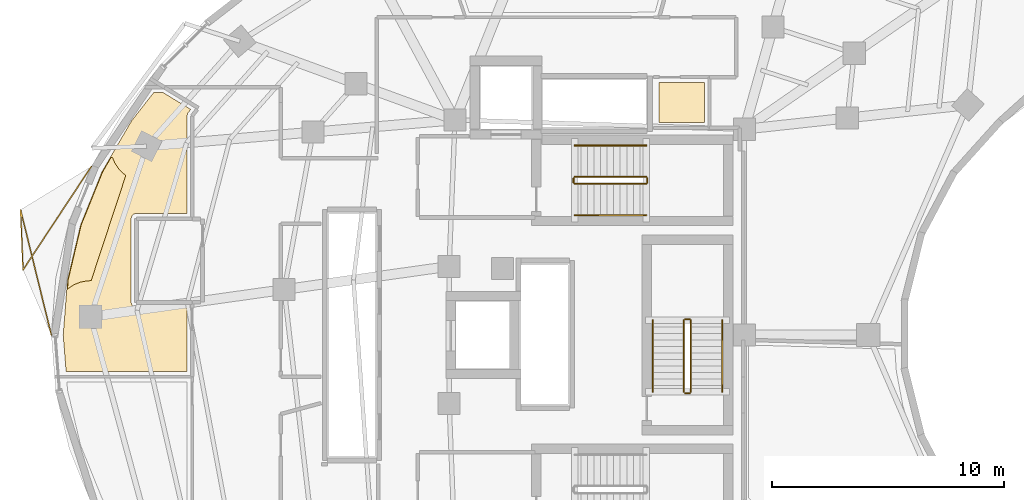
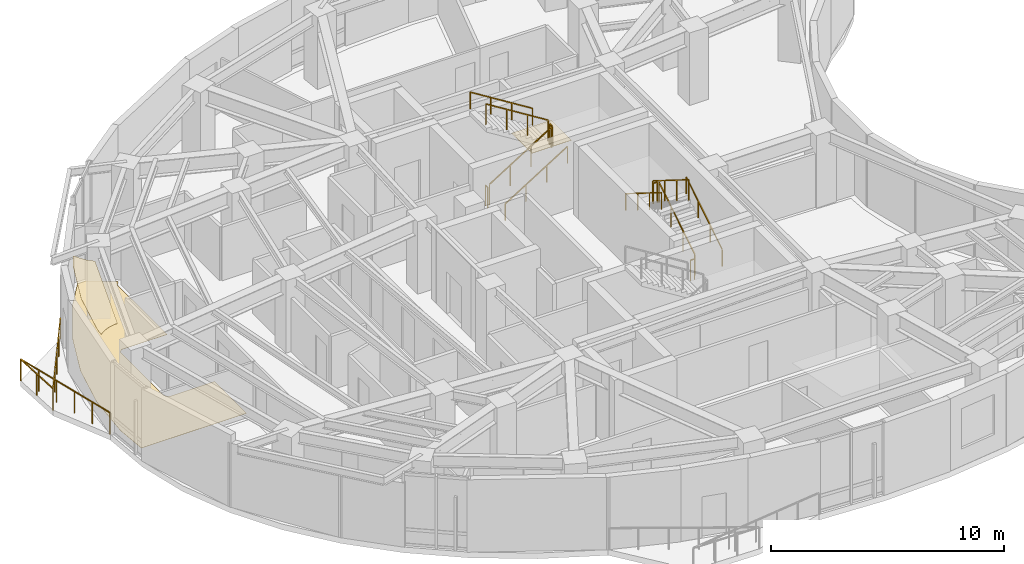
# One storey, part 12 of 13: 13 railings, 3 coverings.
"""IFC4 building model written with IfcOpenShell, lengths in metres."""

from ifc_helpers import new_model, si_unit, direction, frame, origin, origin_2d, place, context, subcontext, project, spatial, polyline, rectangle, outline, extrude, material, layer, layer_set, type_object, element, save


model = new_model("IFC4")

# Units and contexts
model_context = context("Model", 3, precision=1e-05, world=origin(), true_north=direction((0.0, 1.0)))
body_context = subcontext(model_context, "Body", "Model", "MODEL_VIEW")
ifc_project = project(units=[si_unit("LENGTHUNIT", "METRE"), si_unit("AREAUNIT", "SQUARE_METRE"), si_unit("VOLUMEUNIT", "CUBIC_METRE"), si_unit("PLANEANGLEUNIT", "RADIAN"), si_unit("MASSUNIT", "GRAM", prefix="KILO")], contexts=[model_context])

# Site, building, storey
site_placement = place(None, origin())
site = spatial("IfcSite", under=ifc_project, at=site_placement, CompositionType="ELEMENT")
building_placement = place(site_placement, origin())
building = spatial("IfcBuilding", under=site, at=building_placement, Name="Korentha Bioscience Tower", CompositionType="ELEMENT")
storey_placement = place(building_placement, frame((0.0, 0.0, 162.60009765625)))
storey = spatial("IfcBuildingStorey", under=building, at=storey_placement, Name="L37", CompositionType="ELEMENT", Elevation=162.60009765625)

# Covering
ifc_material_1 = material(Name="Vitrified Porcelain Tile", Category="ceramic")
ifc_layer_1 = layer(ifc_material_1, 0.014892578125, Name="Vitrified Porcelain Tile")
ifc_layer_set_1 = layer_set([ifc_layer_1], Name="Vitrified Porcelain Tile (FL-CER)")
covering_type_1 = type_object("IfcCoveringType", Name="Anti-Slip Ceramic Wet-Room Tile Flooring 15", PredefinedType="FLOORING", material=ifc_layer_set_1)
covering_1_placement = place(storey_placement, origin())
element("IfcCovering", 1, at=covering_1_placement, inside=storey, type_object=covering_type_1, Name="L37 Accessible Staff WC Floor Finish", PredefinedType="FLOORING", context=body_context, shape_type="SweptSolid", body=[
    extrude(outline(polyline([(33.8701171875, 36.1298828125), (33.8701171875, 37.8701171875), (35.830078125, 37.8701171875), (35.830078125, 36.1298828125), (33.8701171875, 36.1298828125)])), origin(), (0.0, 0.0, 1.0), 0.014892578125),
])

# Railings
ifc_material_2 = material(Name="Stainless Steel 304", Category="steel")
railing_type_1 = type_object("IfcRailingType", Name="Brushed Stainless Stair Handrail 900", PredefinedType="HANDRAIL", material=ifc_material_2)
railing_1_placement = place(storey_placement, frame((30.25, 32.14990234375, 0.1748046875)))
element("IfcRailing", 2, at=railing_1_placement, inside=storey, type_object=railing_type_1, Name="L37 ST-1 stair handrail 1", PredefinedType="HANDRAIL", context=body_context, shape_type="SweptSolid", body=[
    extrude(rectangle(XDim=0.048095703125, YDim=0.048095703125, at=origin_2d()), frame((0.0, 0.0, 0.8759765625), z_axis=(0.847998304005, 0.0, 0.529998940003), x_axis=(0.0, 1.0, 0.0)), (0.0, 0.0, 1.0), 3.632080078125),
    extrude(rectangle(XDim=0.0419921875, YDim=0.0419921875, at=origin_2d()), origin(), (0.0, 0.0, 1.0), 0.851806640625),
    extrude(rectangle(XDim=0.0419921875, YDim=0.0419921875, at=origin_2d()), frame((1.026611328125, 0.0, 0.6416015625)), (0.0, 0.0, 1.0), 0.851806640625),
    extrude(rectangle(XDim=0.0419921875, YDim=0.0419921875, at=origin_2d()), frame((2.053466796875, 0.0, 1.283447265625)), (0.0, 0.0, 1.0), 0.851806640625),
    extrude(rectangle(XDim=0.0419921875, YDim=0.0419921875, at=origin_2d()), frame((3.080078125, 0.0, 1.925048828125)), (0.0, 0.0, 1.0), 0.851806640625),
])
railing_2_placement = place(storey_placement, frame((33.330078125, 35.14990234375, 2.27490234375)))
element("IfcRailing", 3, at=railing_2_placement, inside=storey, type_object=railing_type_1, Name="L37 ST-1 stair handrail 2", PredefinedType="HANDRAIL", context=body_context, shape_type="SweptSolid", body=[
    extrude(rectangle(XDim=0.048095703125, YDim=0.048095703125, at=origin_2d()), frame((0.0, 0.0, 0.8759765625), z_axis=(-0.847998304005, 0.0, 0.529998940003), x_axis=(0.0, -1.0, 0.0)), (0.0, 0.0, 1.0), 3.632080078125),
    extrude(rectangle(XDim=0.0419921875, YDim=0.0419921875, at=origin_2d()), origin(), (0.0, 0.0, 1.0), 0.851806640625),
    extrude(rectangle(XDim=0.0419921875, YDim=0.0419921875, at=origin_2d()), frame((-1.026611328125, 0.0, 0.6416015625)), (0.0, 0.0, 1.0), 0.851806640625),
    extrude(rectangle(XDim=0.0419921875, YDim=0.0419921875, at=origin_2d()), frame((-2.053466796875, 0.0, 1.283447265625)), (0.0, 0.0, 1.0), 0.851806640625),
    extrude(rectangle(XDim=0.0419921875, YDim=0.0419921875, at=origin_2d()), frame((-3.080078125, 0.0, 1.925048828125)), (0.0, 0.0, 1.0), 0.851806640625),
])
railing_3_placement = place(storey_placement, frame((36.60009765625, 24.550048828125, 0.1748046875)))
element("IfcRailing", 4, at=railing_3_placement, inside=storey, type_object=railing_type_1, Name="L37 ST-3 stair handrail 1", PredefinedType="HANDRAIL", context=body_context, shape_type="SweptSolid", body=[
    extrude(rectangle(XDim=0.048095703125, YDim=0.048095703125, at=origin_2d()), frame((0.0, 0.0, 0.8759765625), z_axis=(0.0, 0.847979421464, 0.530029150871), x_axis=(-1.0, 0.0, 0.0)), (0.0, 0.0, 1.0), 3.632080078125),
    extrude(rectangle(XDim=0.0419921875, YDim=0.0419921875, at=origin_2d()), origin(), (0.0, 0.0, 1.0), 0.851806640625),
    extrude(rectangle(XDim=0.0419921875, YDim=0.0419921875, at=origin_2d()), frame((0.0, 1.026611328125, 0.6416015625)), (0.0, 0.0, 1.0), 0.851806640625),
    extrude(rectangle(XDim=0.0419921875, YDim=0.0419921875, at=origin_2d()), frame((0.0, 2.05322265625, 1.283447265625)), (0.0, 0.0, 1.0), 0.851806640625),
    extrude(rectangle(XDim=0.0419921875, YDim=0.0419921875, at=origin_2d()), frame((0.0, 3.079833984375, 1.925048828125)), (0.0, 0.0, 1.0), 0.851806640625),
])
railing_4_placement = place(storey_placement, frame((33.60009765625, 27.6298828125, 2.27490234375)))
element("IfcRailing", 5, at=railing_4_placement, inside=storey, type_object=railing_type_1, Name="L37 ST-3 stair handrail 2", PredefinedType="HANDRAIL", context=body_context, shape_type="SweptSolid", body=[
    extrude(rectangle(XDim=0.048095703125, YDim=0.048095703125, at=origin_2d()), frame((0.0, 0.0, 0.8759765625), z_axis=(0.0, -0.847979421464, 0.530029150871), x_axis=(1.0, 0.0, 0.0)), (0.0, 0.0, 1.0), 3.632080078125),
    extrude(rectangle(XDim=0.0419921875, YDim=0.0419921875, at=origin_2d()), origin(), (0.0, 0.0, 1.0), 0.851806640625),
    extrude(rectangle(XDim=0.0419921875, YDim=0.0419921875, at=origin_2d()), frame((0.0, -1.026611328125, 0.6416015625)), (0.0, 0.0, 1.0), 0.851806640625),
    extrude(rectangle(XDim=0.0419921875, YDim=0.0419921875, at=origin_2d()), frame((0.0, -2.05322265625, 1.283447265625)), (0.0, 0.0, 1.0), 0.851806640625),
    extrude(rectangle(XDim=0.0419921875, YDim=0.0419921875, at=origin_2d()), frame((0.0, -3.079833984375, 1.925048828125)), (0.0, 0.0, 1.0), 0.851806640625),
])
ifc_material_3 = material(Name="Laminated Tempered Safety Glass", Category="glass")
railing_type_2 = type_object("IfcRailingType", Name="Laminated Glass Balcony Guardrail 1150", PredefinedType="BALUSTRADE", material=ifc_material_3)
railing_5_placement = place(storey_placement, frame((9.454833984375, 34.246337890625, 0.0)))
element("IfcRailing", 6, at=railing_5_placement, inside=storey, type_object=railing_type_2, Name="L37 Balcony Guardrail 02", PredefinedType="BALUSTRADE", context=body_context, shape_type="SweptSolid", body=[
    extrude(rectangle(XDim=0.048095703125, YDim=0.048095703125, at=origin_2d()), frame((0.0, 0.0, 1.1259765625), z_axis=(-0.550932164864, -0.834550028289, 0.0), x_axis=(0.834550028289, -0.550932164864, 0.0)), (0.0, 0.0, 1.0), 5.3310546875),
    extrude(rectangle(XDim=0.048095703125, YDim=0.048095703125, at=origin_2d()), frame((-2.93701171875, -4.448974609375, 1.1259765625), z_axis=(-0.040615331827, 0.99917485698, 0.0), x_axis=(-0.99917485698, -0.040615331827, 0.0)), (0.0, 0.0, 1.0), 2.5908203125),
    extrude(rectangle(XDim=0.048095703125, YDim=0.048095703125, at=origin_2d()), frame((-3.042236328125, -1.8603515625, 1.1259765625), z_axis=(0.23862888536, -0.971110835627, 0.0), x_axis=(0.971110835627, 0.23862888536, 0.0)), (0.0, 0.0, 1.0), 5.546142578125),
    extrude(rectangle(XDim=0.0419921875, YDim=0.0419921875, at=origin_2d()), origin(), (0.0, 0.0, 1.0), 1.101806640625),
    extrude(rectangle(XDim=0.0419921875, YDim=0.0419921875, at=origin_2d()), frame((-0.734375, -1.1123046875, 0.0)), (0.0, 0.0, 1.0), 1.101806640625),
    extrude(rectangle(XDim=0.0419921875, YDim=0.0419921875, at=origin_2d()), frame((-1.468505859375, -2.224609375, 0.0)), (0.0, 0.0, 1.0), 1.101806640625),
    extrude(rectangle(XDim=0.0419921875, YDim=0.0419921875, at=origin_2d()), frame((-2.20263671875, -3.336669921875, 0.0)), (0.0, 0.0, 1.0), 1.101806640625),
    extrude(rectangle(XDim=0.0419921875, YDim=0.0419921875, at=origin_2d()), frame((-2.93701171875, -4.448974609375, 0.0)), (0.0, 0.0, 1.0), 1.101806640625),
    extrude(rectangle(XDim=0.0419921875, YDim=0.0419921875, at=origin_2d()), frame((-2.98974609375, -3.15478515625, 0.0)), (0.0, 0.0, 1.0), 1.101806640625),
    extrude(rectangle(XDim=0.0419921875, YDim=0.0419921875, at=origin_2d()), frame((-3.042236328125, -1.8603515625, 0.0)), (0.0, 0.0, 1.0), 1.101806640625),
    extrude(rectangle(XDim=0.0419921875, YDim=0.0419921875, at=origin_2d()), frame((-2.777587890625, -2.9375, 0.0)), (0.0, 0.0, 1.0), 1.101806640625),
    extrude(rectangle(XDim=0.0419921875, YDim=0.0419921875, at=origin_2d()), frame((-2.512939453125, -4.0146484375, 0.0)), (0.0, 0.0, 1.0), 1.101806640625),
    extrude(rectangle(XDim=0.0419921875, YDim=0.0419921875, at=origin_2d()), frame((-2.248046875, -5.092041015625, 0.0)), (0.0, 0.0, 1.0), 1.101806640625),
    extrude(rectangle(XDim=0.0419921875, YDim=0.0419921875, at=origin_2d()), frame((-1.9833984375, -6.169189453125, 0.0)), (0.0, 0.0, 1.0), 1.101806640625),
    extrude(rectangle(XDim=0.0419921875, YDim=0.0419921875, at=origin_2d()), frame((-1.71875, -7.246337890625, 0.0)), (0.0, 0.0, 1.0), 1.101806640625),
])

# Covering
ifc_material_4 = material(Name="Antimicrobial Mineral Fibre Board", Category="gypsum")
ifc_layer_2 = layer(ifc_material_4, 0.034912109375, Name="Antimicrobial Mineral Fibre Board")
ifc_layer_set_2 = layer_set([ifc_layer_2], Name="Antimicrobial Mineral Fibre Board (CL-MF35)")
covering_type_2 = type_object("IfcCoveringType", Name="Mineral-Fibre Cleanroom Suspended Ceiling 35", PredefinedType="CEILING", material=ifc_layer_set_2)
covering_2_placement = place(storey_placement, frame((0.0, 0.0, 3.7548828125)))
element("IfcCovering", 7, at=covering_2_placement, inside=storey, type_object=covering_type_2, Name="L37 Researchers' Wellness Quiet Room 11 Acoustic Ceiling", PredefinedType="CEILING", context=body_context, shape_type="SweptSolid", body=[
    extrude(outline(polyline([(10.302001953125, 34.628173828125), (10.368408203125, 34.630615234375), (10.470703125, 34.388671875), (10.6396484375, 34.135986328125), (10.74169921875, 34.023193359375), (10.939208984375, 33.8583984375), (9.44921875, 29.334716796875), (9.2705078125, 29.328369140625), (8.97265625, 29.269287109375), (8.69189453125, 29.15283203125), (8.4326171875, 28.97802734375), (8.4638671875, 29.37890625), (9.0205078125, 31.7255859375), (9.941162109375, 34.00830078125), (10.302001953125, 34.628173828125)])), origin(), (0.0, 0.0, 1.0), 0.034912109375),
])

# Railings
ifc_material_5 = material(Name="Painted Steel S275", Category="steel")
railing_type_3 = type_object("IfcRailingType", Name="Painted Steel Stair Well Guardrail 1100", PredefinedType="GUARDRAIL", material=ifc_material_5)
railing_6_placement = place(storey_placement, frame((30.25, 33.5, 0.1748046875)))
element("IfcRailing", 8, at=railing_6_placement, inside=storey, type_object=railing_type_3, Name="L37 ST-1 stair guard 1", PredefinedType="GUARDRAIL", context=body_context, shape_type="SweptSolid", body=[
    extrude(rectangle(XDim=0.048095703125, YDim=0.048095703125, at=origin_2d()), frame((0.0, 0.0, 1.076171875), z_axis=(0.847998304005, 0.0, 0.529998940003), x_axis=(0.0, 1.0, 0.0)), (0.0, 0.0, 1.0), 3.632080078125),
    extrude(rectangle(XDim=0.0419921875, YDim=0.0419921875, at=origin_2d()), origin(), (0.0, 0.0, 1.0), 1.052001953125),
    extrude(rectangle(XDim=0.0419921875, YDim=0.0419921875, at=origin_2d()), frame((1.026611328125, 0.0, 0.6416015625)), (0.0, 0.0, 1.0), 1.052001953125),
    extrude(rectangle(XDim=0.0419921875, YDim=0.0419921875, at=origin_2d()), frame((2.053466796875, 0.0, 1.283447265625)), (0.0, 0.0, 1.0), 1.052001953125),
    extrude(rectangle(XDim=0.0419921875, YDim=0.0419921875, at=origin_2d()), frame((3.080078125, 0.0, 1.925048828125)), (0.0, 0.0, 1.0), 1.052001953125),
])
railing_7_placement = place(storey_placement, frame((33.3798828125, 33.550048828125, 2.099853515625)))
element("IfcRailing", 9, at=railing_7_placement, inside=storey, type_object=railing_type_3, Name="L37 ST-1 stair guard 2", PredefinedType="GUARDRAIL", context=body_context, shape_type="SweptSolid", body=[
    extrude(rectangle(XDim=0.048095703125, YDim=0.048095703125, at=origin_2d()), frame((0.0, 0.0, 1.076171875), z_axis=(0.0, 1.0, 0.0), x_axis=(-1.0, 0.0, 0.0)), (0.0, 0.0, 1.0), 0.199951171875),
    extrude(rectangle(XDim=0.0419921875, YDim=0.0419921875, at=origin_2d()), origin(), (0.0, 0.0, 1.0), 1.052001953125),
    extrude(rectangle(XDim=0.0419921875, YDim=0.0419921875, at=origin_2d()), frame((0.0, 0.199951171875, 0.0)), (0.0, 0.0, 1.0), 1.052001953125),
])
railing_8_placement = place(storey_placement, frame((33.330078125, 33.800048828125, 2.27490234375)))
element("IfcRailing", 10, at=railing_8_placement, inside=storey, type_object=railing_type_3, Name="L37 ST-1 stair guard 3", PredefinedType="GUARDRAIL", context=body_context, shape_type="SweptSolid", body=[
    extrude(rectangle(XDim=0.048095703125, YDim=0.048095703125, at=origin_2d()), frame((0.0, 0.0, 1.076171875), z_axis=(-0.847998304005, 0.0, 0.529998940003), x_axis=(0.0, -1.0, 0.0)), (0.0, 0.0, 1.0), 3.632080078125),
    extrude(rectangle(XDim=0.0419921875, YDim=0.0419921875, at=origin_2d()), origin(), (0.0, 0.0, 1.0), 1.052001953125),
    extrude(rectangle(XDim=0.0419921875, YDim=0.0419921875, at=origin_2d()), frame((-1.026611328125, 0.0, 0.6416015625)), (0.0, 0.0, 1.0), 1.052001953125),
    extrude(rectangle(XDim=0.0419921875, YDim=0.0419921875, at=origin_2d()), frame((-2.053466796875, 0.0, 1.283447265625)), (0.0, 0.0, 1.0), 1.052001953125),
    extrude(rectangle(XDim=0.0419921875, YDim=0.0419921875, at=origin_2d()), frame((-3.080078125, 0.0, 1.925048828125)), (0.0, 0.0, 1.0), 1.052001953125),
])
railing_9_placement = place(storey_placement, frame((30.199951171875, 33.550048828125, 0.0)))
element("IfcRailing", 11, at=railing_9_placement, inside=storey, type_object=railing_type_3, Name="L37 ST-1 stair guard 4", PredefinedType="GUARDRAIL", context=body_context, shape_type="SweptSolid", body=[
    extrude(rectangle(XDim=0.048095703125, YDim=0.048095703125, at=origin_2d()), frame((0.0, 0.0, 1.076171875), z_axis=(0.0, 1.0, 0.0), x_axis=(-1.0, 0.0, 0.0)), (0.0, 0.0, 1.0), 0.199951171875),
    extrude(rectangle(XDim=0.0419921875, YDim=0.0419921875, at=origin_2d()), origin(), (0.0, 0.0, 1.0), 1.052001953125),
    extrude(rectangle(XDim=0.0419921875, YDim=0.0419921875, at=origin_2d()), frame((0.0, 0.199951171875, 0.0)), (0.0, 0.0, 1.0), 1.052001953125),
])
railing_10_placement = place(storey_placement, frame((35.25, 24.550048828125, 0.1748046875)))
element("IfcRailing", 12, at=railing_10_placement, inside=storey, type_object=railing_type_3, Name="L37 ST-3 stair guard 1", PredefinedType="GUARDRAIL", context=body_context, shape_type="SweptSolid", body=[
    extrude(rectangle(XDim=0.048095703125, YDim=0.048095703125, at=origin_2d()), frame((0.0, 0.0, 1.076171875), z_axis=(0.0, 0.847979421464, 0.530029150871), x_axis=(-1.0, 0.0, 0.0)), (0.0, 0.0, 1.0), 3.632080078125),
    extrude(rectangle(XDim=0.0419921875, YDim=0.0419921875, at=origin_2d()), origin(), (0.0, 0.0, 1.0), 1.052001953125),
    extrude(rectangle(XDim=0.0419921875, YDim=0.0419921875, at=origin_2d()), frame((0.0, 1.026611328125, 0.6416015625)), (0.0, 0.0, 1.0), 1.052001953125),
    extrude(rectangle(XDim=0.0419921875, YDim=0.0419921875, at=origin_2d()), frame((0.0, 2.05322265625, 1.283447265625)), (0.0, 0.0, 1.0), 1.052001953125),
    extrude(rectangle(XDim=0.0419921875, YDim=0.0419921875, at=origin_2d()), frame((0.0, 3.079833984375, 1.925048828125)), (0.0, 0.0, 1.0), 1.052001953125),
])
railing_11_placement = place(storey_placement, frame((35.199951171875, 27.679931640625, 2.099853515625)))
element("IfcRailing", 13, at=railing_11_placement, inside=storey, type_object=railing_type_3, Name="L37 ST-3 stair guard 2", PredefinedType="GUARDRAIL", context=body_context, shape_type="SweptSolid", body=[
    extrude(rectangle(XDim=0.048095703125, YDim=0.048095703125, at=origin_2d()), frame((0.0, 0.0, 1.076171875), z_axis=(-1.0, 0.0, 0.0), x_axis=(0.0, -1.0, 0.0)), (0.0, 0.0, 1.0), 0.199951171875),
    extrude(rectangle(XDim=0.0419921875, YDim=0.0419921875, at=origin_2d()), origin(), (0.0, 0.0, 1.0), 1.052001953125),
    extrude(rectangle(XDim=0.0419921875, YDim=0.0419921875, at=origin_2d()), frame((-0.199951171875, 0.0, 0.0)), (0.0, 0.0, 1.0), 1.052001953125),
])
railing_12_placement = place(storey_placement, frame((34.949951171875, 27.6298828125, 2.27490234375)))
element("IfcRailing", 14, at=railing_12_placement, inside=storey, type_object=railing_type_3, Name="L37 ST-3 stair guard 3", PredefinedType="GUARDRAIL", context=body_context, shape_type="SweptSolid", body=[
    extrude(rectangle(XDim=0.048095703125, YDim=0.048095703125, at=origin_2d()), frame((0.0, 0.0, 1.076171875), z_axis=(0.0, -0.847979421464, 0.530029150871), x_axis=(1.0, 0.0, 0.0)), (0.0, 0.0, 1.0), 3.632080078125),
    extrude(rectangle(XDim=0.0419921875, YDim=0.0419921875, at=origin_2d()), origin(), (0.0, 0.0, 1.0), 1.052001953125),
    extrude(rectangle(XDim=0.0419921875, YDim=0.0419921875, at=origin_2d()), frame((0.0, -1.026611328125, 0.6416015625)), (0.0, 0.0, 1.0), 1.052001953125),
    extrude(rectangle(XDim=0.0419921875, YDim=0.0419921875, at=origin_2d()), frame((0.0, -2.05322265625, 1.283447265625)), (0.0, 0.0, 1.0), 1.052001953125),
    extrude(rectangle(XDim=0.0419921875, YDim=0.0419921875, at=origin_2d()), frame((0.0, -3.079833984375, 1.925048828125)), (0.0, 0.0, 1.0), 1.052001953125),
])
railing_13_placement = place(storey_placement, frame((35.199951171875, 24.5, 0.0)))
element("IfcRailing", 15, at=railing_13_placement, inside=storey, type_object=railing_type_3, Name="L37 ST-3 stair guard 4", PredefinedType="GUARDRAIL", context=body_context, shape_type="SweptSolid", body=[
    extrude(rectangle(XDim=0.048095703125, YDim=0.048095703125, at=origin_2d()), frame((0.0, 0.0, 1.076171875), z_axis=(-1.0, 0.0, 0.0), x_axis=(0.0, -1.0, 0.0)), (0.0, 0.0, 1.0), 0.199951171875),
    extrude(rectangle(XDim=0.0419921875, YDim=0.0419921875, at=origin_2d()), origin(), (0.0, 0.0, 1.0), 1.052001953125),
    extrude(rectangle(XDim=0.0419921875, YDim=0.0419921875, at=origin_2d()), frame((-0.199951171875, 0.0, 0.0)), (0.0, 0.0, 1.0), 1.052001953125),
])

# Covering
ifc_material_6 = material(Name="Chemical-Resistant Epoxy Resin", Category="polymer")
ifc_layer_3 = layer(ifc_material_6, 0.011962890625, Name="Chemical-Resistant Epoxy Resin")
ifc_layer_set_3 = layer_set([ifc_layer_3], Name="Chemical-Resistant Epoxy Resin (FL-EPX)")
covering_type_3 = type_object("IfcCoveringType", Name="Seamless Epoxy Laboratory Flooring 12", PredefinedType="FLOORING", material=ifc_layer_set_3)
covering_3_placement = place(storey_placement, origin())
element("IfcCovering", 16, at=covering_3_placement, inside=storey, type_object=covering_type_3, Name="L37 Researchers' Wellness Quiet Room 11 Floor Finish", PredefinedType="FLOORING", context=body_context, shape_type="SweptSolid", body=[
    extrude(outline(polyline([(8.991943359375, 31.734619140625), (9.9140625, 34.021484375), (11.189208984375, 36.211669921875), (12.140380859375, 37.427978515625), (12.5419921875, 37.427978515625), (13.732421875, 36.704345703125), (13.600830078125, 36.532470703125), (13.5703125, 36.427734375), (13.570068359375, 32.22998046875), (11.38818359375, 32.229736328125), (11.302001953125, 32.2080078125), (11.22998046875, 32.15478515625), (11.18359375, 32.077880859375), (11.169921875, 32.0), (11.169921875, 28.39990234375), (11.18359375, 28.322021484375), (11.263427734375, 28.215087890625), (11.38818359375, 28.17041015625), (13.570068359375, 28.169921875), (13.570068359375, 25.427978515625), (8.371337890625, 25.427978515625), (8.24755859375, 27.0), (8.43408203125, 29.383544921875), (8.991943359375, 31.734619140625)])), origin(), (0.0, 0.0, 1.0), 0.011962890625),
])

save(model, "model.ifc")
